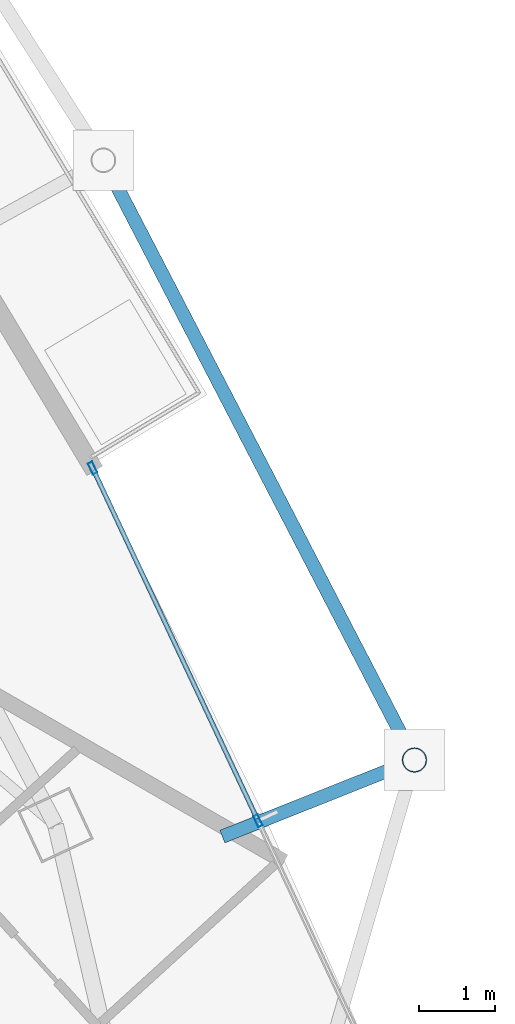
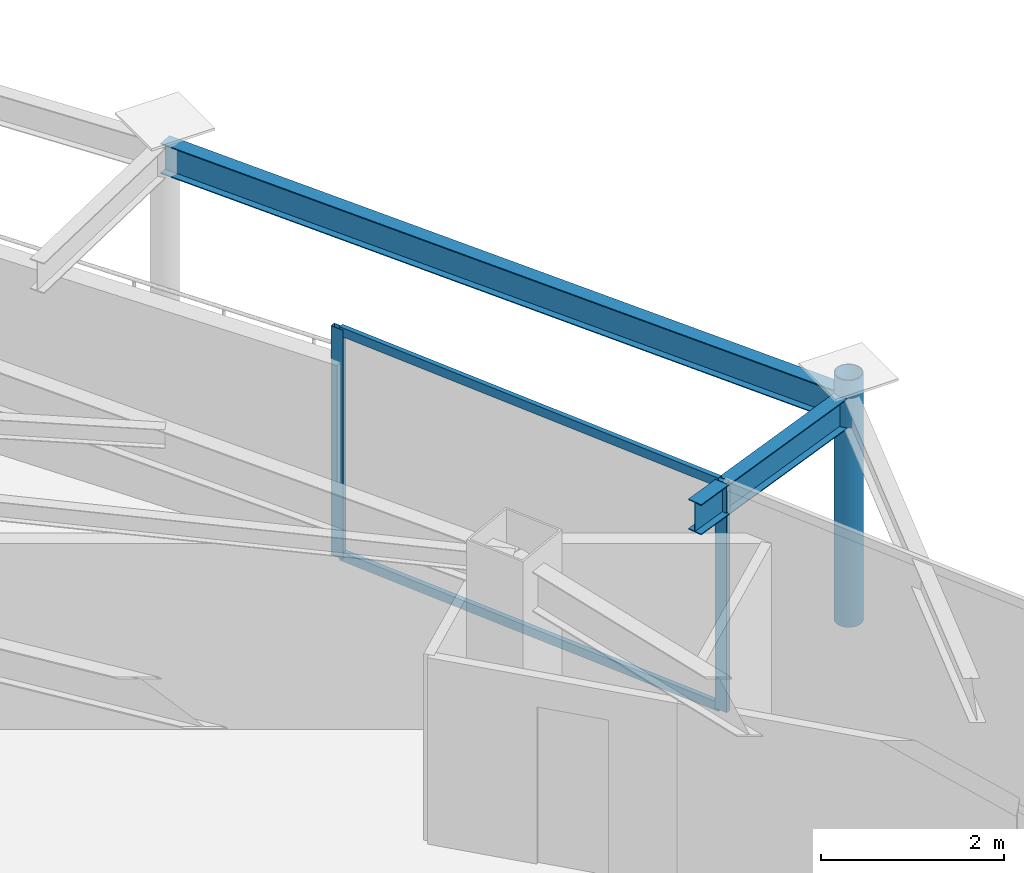
# One storey, part 20 of 34: 5 members, 2 beams, 1 element without a shape of its own.
"""IFC4 building model written with IfcOpenShell, lengths in metres."""

from ifc_helpers import new_model, si_unit, direction, frame, origin, origin_2d, place, context, subcontext, project, spatial, hollow_rectangle, hollow_circle, i_section, extrude, material, layer, layer_set, material_profile, profile_set, type_object, element, aggregate, save


model = new_model("IFC4")

# Units and contexts
model_context = context("Model", 3, precision=1e-05, world=origin(), true_north=direction((0.0, 1.0)))
body_context = subcontext(model_context, "Body", "Model", "MODEL_VIEW")
ifc_project = project(units=[si_unit("LENGTHUNIT", "METRE"), si_unit("AREAUNIT", "SQUARE_METRE"), si_unit("VOLUMEUNIT", "CUBIC_METRE"), si_unit("PLANEANGLEUNIT", "RADIAN"), si_unit("MASSUNIT", "GRAM", prefix="KILO")], contexts=[model_context])

# Site, building, storey
site_placement = place(None, origin())
site = spatial("IfcSite", under=ifc_project, at=site_placement, CompositionType="ELEMENT")
building_placement = place(site_placement, origin())
building = spatial("IfcBuilding", under=site, at=building_placement, Name="Orvanel Arch Residences", CompositionType="ELEMENT")
storey_placement = place(building_placement, frame((0.0, 0.0, 203.0)))
storey = spatial("IfcBuildingStorey", under=building, at=storey_placement, Name="L57", CompositionType="ELEMENT", Elevation=203.0)

# Curtain wall, members
ifc_material_1 = material(Name="Bronze-anodised aluminium AA6063-T6", Category="aluminium")
ifc_layer = layer(ifc_material_1, 0.175048828125)
ifc_layer_set = layer_set([ifc_layer], Name="Bronze-anodised aluminium AA6063-T6")
curtain_wall_type = type_object("IfcCurtainWallType", Name="CW4-HI-SYS", PredefinedType="NOTDEFINED", material=ifc_layer_set)
curtain_wall_placement = place(storey_placement, origin())
curtain_wall = element("IfcCurtainWall", 1, at=curtain_wall_placement, inside=storey, type_object=curtain_wall_type, Name="L57 CW4-HI-SYS Unitised Curtain Wall", PredefinedType="NOTDEFINED")
ifc_material_profile_1 = material_profile(ifc_material_1, hollow_rectangle(XDim=0.06494140625, YDim=0.159912109375, WallThickness=0.00390625, at=origin_2d()), Name="ALU160x65x4")
ifc_profile_set_1 = profile_set([ifc_material_profile_1], Name="Bronze-anodised aluminium AA6063-T6")
member_type_1 = type_object("IfcMemberType", Name="MUL-160x65", PredefinedType="MULLION", material=ifc_profile_set_1)
member_1_placement = place(storey_placement, frame((52.29541015625, 19.697998046875, 0.0), z_axis=(0.0, 0.0, 1.0), x_axis=(-0.905430980596, -0.424493509228, 0.0)))
member_1 = element("IfcMember", 2, at=member_1_placement, type_object=member_type_1, Name="CW-S4 mullion 2", PredefinedType="MULLION", context=body_context, shape_type="SweptSolid", body=[
    extrude(hollow_rectangle(XDim=0.06494140625, YDim=0.159912109375, WallThickness=0.00390625, at=origin_2d()), origin(), (0.0, 0.0, 1.0), 3.06005859375),
])
member_2_placement = place(storey_placement, frame((50.120849609375, 24.336669921875, 0.0), z_axis=(0.0, 0.0, 1.0), x_axis=(-0.905430980596, -0.424493509228, 0.0)))
member_2 = element("IfcMember", 3, at=member_2_placement, type_object=member_type_1, Name="CW-S4 mullion 3", PredefinedType="MULLION", context=body_context, shape_type="SweptSolid", body=[
    extrude(hollow_rectangle(XDim=0.06494140625, YDim=0.159912109375, WallThickness=0.00390625, at=origin_2d()), origin(), (0.0, 0.0, 1.0), 3.06005859375),
])

# Beams
ifc_material_2 = material(Name="Structural steel AS/NZS 3679.1 Grade 300 (300 MPa)", Category="steel")
ifc_material_profile_2 = material_profile(ifc_material_2, i_section(OverallWidth=0.177978515625, OverallDepth=0.406005859375, WebThickness=0.0078125, FlangeThickness=0.0126953125, at=origin_2d()), Name="410UB59.7")
ifc_profile_set_2 = profile_set([ifc_material_profile_2], Name="Structural steel AS/NZS 3679.1 Grade 300 (300 MPa)")
beam_type = type_object("IfcBeamType", Name="OB-410UB-EXT", PredefinedType="SPANDREL", material=ifc_profile_set_2)
beam_1_placement = place(storey_placement, frame((51.826904296875, 19.490966796875, 2.85693359375), z_axis=(0.928977580131, 0.370135996106, 0.0), x_axis=(-0.370135996106, 0.928977580131, 0.0)))
element("IfcBeam", 4, at=beam_1_placement, inside=storey, type_object=beam_type, Name="L57 Outer Frame Radial Tie Beam 09", PredefinedType="SPANDREL", context=body_context, shape_type="SweptSolid", body=[
    extrude(i_section(OverallWidth=0.177978515625, OverallDepth=0.406005859375, WebThickness=0.0078125, FlangeThickness=0.0126953125, at=origin_2d()), origin(), (0.0, 0.0, 1.0), 2.71826171875),
])
beam_2_placement = place(storey_placement, frame((54.35205078125, 20.4970703125, 2.85693359375), z_axis=(-0.460455950574, 0.88768255451, 0.0), x_axis=(-0.88768255451, -0.460455950574, 0.0)))
element("IfcBeam", 5, at=beam_2_placement, inside=storey, type_object=beam_type, Name="L57 Outer Perimeter Floor Ring Beam 09", PredefinedType="SPANDREL", context=body_context, shape_type="SweptSolid", body=[
    extrude(i_section(OverallWidth=0.177978515625, OverallDepth=0.406005859375, WebThickness=0.0078125, FlangeThickness=0.0126953125, at=origin_2d()), origin(), (0.0, 0.0, 1.0), 8.8828125),
])

# Member
ifc_material_3 = material(Name="Structural steel AS/NZS 1163 C350L0 (Grade 350)", Category="steel")
ifc_material_profile_3 = material_profile(ifc_material_3, hollow_circle(Radius=0.162109375, WallThickness=0.0126953125, at=origin_2d()), Name="CHS324x12.7")
ifc_profile_set_3 = profile_set([ifc_material_profile_3], Name="Structural steel AS/NZS 1163 C350L0 (Grade 350)")
member_type_2 = type_object("IfcMemberType", Name="ST-324CHS-EXT", PredefinedType="STRUT", material=ifc_profile_set_3)
member_3_placement = place(storey_placement, frame((54.35205078125, 20.4970703125, 0.0), z_axis=(0.0, 0.0, 1.0), x_axis=(1.0, 0.0, 0.0)))
element("IfcMember", 6, at=member_3_placement, inside=storey, type_object=member_type_2, Name="L57 Outer Perimeter Frame Post 09", PredefinedType="STRUT", context=body_context, shape_type="SweptSolid", body=[
    extrude(hollow_circle(Radius=0.162109375, WallThickness=0.0126953125, at=origin_2d()), origin(), (0.0, 0.0, 1.0), 3.300048828125),
])

ifc_material_profile_4 = material_profile(ifc_material_1, hollow_rectangle(XDim=0.06005859375, YDim=0.1201171875, WallThickness=0.00341796875, at=origin_2d()), Name="ALU120x60x3.5")
ifc_profile_set_4 = profile_set([ifc_material_profile_4], Name="Bronze-anodised aluminium AA6063-T6")
member_type_3 = type_object("IfcMemberType", Name="TRN-120x60", PredefinedType="USERDEFINED", material=ifc_profile_set_4)
member_4_placement = place(storey_placement, frame((52.28173828125, 19.7275390625, 0.030029296875), z_axis=(-0.424520440489, 0.905418353916, 0.0), x_axis=(-0.905418353916, -0.424520440489, 0.0)))
member_4 = element("IfcMember", 7, at=member_4_placement, type_object=member_type_3, Name="CW-S4 transom 2.1", ObjectType="TRANSOM", PredefinedType="USERDEFINED", context=body_context, shape_type="SweptSolid", body=[
    extrude(hollow_rectangle(XDim=0.06005859375, YDim=0.1201171875, WallThickness=0.00341796875, at=origin_2d()), origin(), (0.0, 0.0, 1.0), 5.057861328125),
])

member_5_placement = place(storey_placement, frame((52.28173828125, 19.7275390625, 3.030029296875), z_axis=(-0.424520440489, 0.905418353916, 0.0), x_axis=(-0.905418353916, -0.424520440489, 0.0)))
member_5 = element("IfcMember", 8, at=member_5_placement, type_object=member_type_3, Name="CW-S4 transom 2.2", ObjectType="TRANSOM", PredefinedType="USERDEFINED", context=body_context, shape_type="SweptSolid", body=[
    extrude(hollow_rectangle(XDim=0.06005859375, YDim=0.1201171875, WallThickness=0.00341796875, at=origin_2d()), origin(), (0.0, 0.0, 1.0), 5.057861328125),
])

aggregate(curtain_wall, [member_1, member_2, member_4, member_5])

save(model, "model.ifc")
